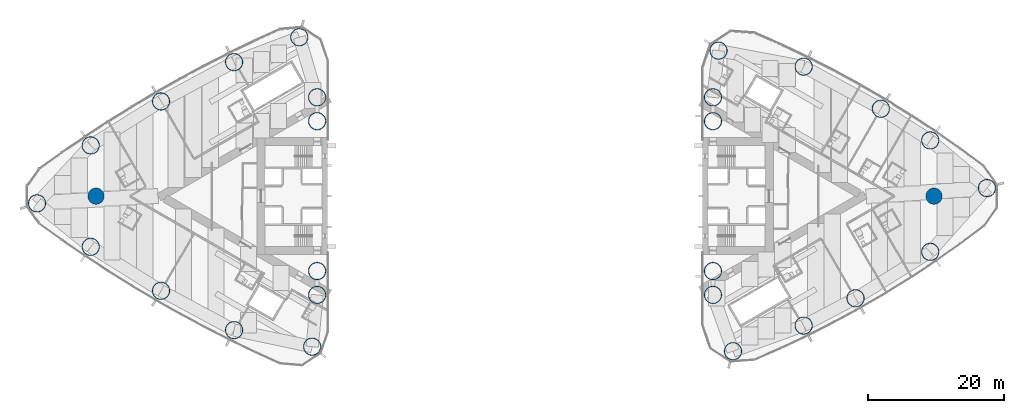
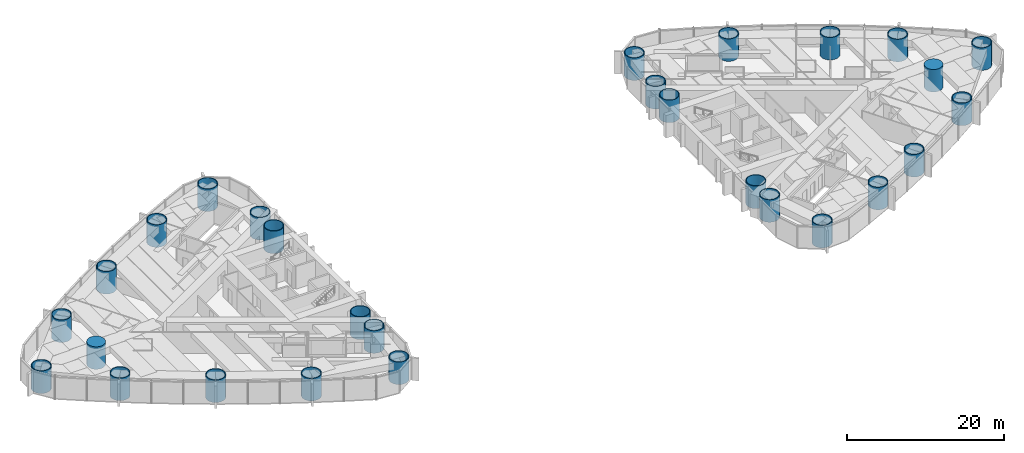
# One storey, part 1 of 18: 28 columns.
"""IFC4 building model written with IfcOpenShell, lengths in metres."""

from ifc_helpers import new_model, si_unit, direction, frame, origin, origin_2d, place, context, subcontext, project, spatial, circle, hollow_circle, extrude, material, material_profile, profile_set, type_object, element, save


model = new_model("IFC4")

# Units and contexts
model_context = context("Model", 3, precision=1e-05, world=origin(), true_north=direction((0.0, 1.0)))
body_context = subcontext(model_context, "Body", "Model", "MODEL_VIEW")
ifc_project = project(units=[si_unit("LENGTHUNIT", "METRE"), si_unit("AREAUNIT", "SQUARE_METRE"), si_unit("VOLUMEUNIT", "CUBIC_METRE"), si_unit("PLANEANGLEUNIT", "RADIAN"), si_unit("MASSUNIT", "GRAM", prefix="KILO")], contexts=[model_context])

# Site, building, storey
site_placement = place(None, origin())
site = spatial("IfcSite", under=ifc_project, at=site_placement, CompositionType="ELEMENT")
building_placement = place(site_placement, origin())
building = spatial("IfcBuilding", under=site, at=building_placement, Name="Lancet Gate Hotel", CompositionType="ELEMENT")
storey_placement = place(building_placement, frame((0.0, 0.0, 104.60009765625)))
storey = spatial("IfcBuildingStorey", under=building, at=storey_placement, Name="L27", CompositionType="ELEMENT", Elevation=104.60009765625)

# Columns
ifc_material_1 = material(Name="Concrete C80/95", Category="concrete")
ifc_material_profile_1 = material_profile(ifc_material_1, circle(Radius=1.199951171875, at=origin_2d()), Name="RC D2400")
ifc_profile_set_1 = profile_set([ifc_material_profile_1], Name="Concrete C80/95")
column_type_1 = type_object("IfcColumnType", Name="Apex column RC D2400", PredefinedType="COLUMN", material=ifc_profile_set_1)
for number, where, z_axis, x_axis, name in (
    (1, (-61.5, 0.0, 0.0), (0.0, 0.0, 1.0), (1.0, 0.0, 0.0), "T1 column AX L27"),
    (2, (61.5, 0.0, 0.0), (0.0, 0.0, 1.0), (1.0, 0.0, 0.0), "T2 column AX L27"),
):
    element("IfcColumn", number, at=place(storey_placement, frame(where, z_axis=z_axis, x_axis=x_axis)), inside=storey, type_object=column_type_1, Name=name, PredefinedType="COLUMN", context=body_context, shape_type="SweptSolid", body=[
        extrude(circle(Radius=1.199951171875, at=origin_2d()), origin(), (0.0, 0.0, 1.0), 3.5),
    ])
ifc_material_2 = material(Name="Composite filled tube, grade 460 plate, grade 80/95 fill", Category="composite")
ifc_material_profile_2 = material_profile(ifc_material_2, hollow_circle(Radius=1.300048828125, WallThickness=0.10009765625, at=origin_2d()), Name="CHS 2600x100")
ifc_profile_set_2 = profile_set([ifc_material_profile_2], Name="Composite filled tube, grade 460 plate, grade 80/95 fill")
column_type_2 = type_object("IfcColumnType", Name="Apex corner column CFT CHS 2600x100", PredefinedType="COLUMN", material=ifc_profile_set_2)
for number, where, z_axis, x_axis, name in (
    (3, (-70.16796875, -1.06005859375, 0.0), (0.0, 0.0, 1.0), (1.0, 0.0, 0.0), "T1 column CA L27"),
    (4, (69.268798828125, 1.1865234375, 0.0), (0.0, 0.0, 1.0), (1.0, 0.0, 0.0), "T2 column CA L27"),
):
    element("IfcColumn", number, at=place(storey_placement, frame(where, z_axis=z_axis, x_axis=x_axis)), inside=storey, type_object=column_type_2, Name=name, PredefinedType="COLUMN", context=body_context, shape_type="SweptSolid", body=[
        extrude(hollow_circle(Radius=1.300048828125, WallThickness=0.10009765625, at=origin_2d()), origin(), (0.0, 0.0, 1.0), 3.5),
    ])
ifc_material_3 = material(Name="Composite filled tube, grade 460 plate, grade 80/95 fill", Category="composite")
ifc_material_profile_3 = material_profile(ifc_material_3, hollow_circle(Radius=1.300048828125, WallThickness=0.10009765625, at=origin_2d()), Name="CHS 2600x100")
ifc_profile_set_3 = profile_set([ifc_material_profile_3], Name="Composite filled tube, grade 460 plate, grade 80/95 fill")
column_type_3 = type_object("IfcColumnType", Name="Perimeter column CFT CHS 2600x100", PredefinedType="COLUMN", material=ifc_profile_set_3)
for number, where, z_axis, x_axis, name in (
    (5, (-29.781005859375, -22.0947265625, 0.0), (0.0, 0.0, 1.0), (1.0, 0.0, 0.0), "T1 column CN L27"),
    (6, (-31.66455078125, 23.318359375, 0.0), (0.0, 0.0, 1.0), (1.0, 0.0, 0.0), "T1 column CS L27"),
    (7, (-29.050048828125, -11.0, 0.0), (0.0, 0.0, 1.0), (1.0, 0.0, 0.0), "T1 column IN L27"),
    (8, (-29.050048828125, 11.0, 0.0), (0.0, 0.0, 1.0), (1.0, 0.0, 0.0), "T1 column IS L27"),
    (9, (-29.050048828125, 14.5, 0.0), (0.0, 0.0, 1.0), (1.0, 0.0, 0.0), "T1 column IT L27"),
    (10, (-29.050048828125, -14.5, 0.0), (0.0, 0.0, 1.0), (1.0, 0.0, 0.0), "T1 column JT L27"),
    (11, (-62.28662109375, -7.444580078125, 0.0), (0.0, 0.0, 1.0), (1.0, 0.0, 0.0), "T1 column ON1 L27"),
    (12, (-51.963134765625, -13.89501953125, 0.0), (0.0, 0.0, 1.0), (1.0, 0.0, 0.0), "T1 column ON2 L27"),
    (13, (-41.244873046875, -19.665771484375, 0.0), (0.0, 0.0, 1.0), (1.0, 0.0, 0.0), "T1 column ON3 L27"),
    (14, (-41.244873046875, 19.665771484375, 0.0), (0.0, 0.0, 1.0), (1.0, 0.0, 0.0), "T1 column OS1 L27"),
    (15, (-51.963134765625, 13.89501953125, 0.0), (0.0, 0.0, 1.0), (1.0, 0.0, 0.0), "T1 column OS2 L27"),
    (16, (-62.28662109375, 7.444580078125, 0.0), (0.0, 0.0, 1.0), (1.0, 0.0, 0.0), "T1 column OS3 L27"),
    (17, (29.8720703125, 21.35498046875, 0.0), (0.0, 0.0, 1.0), (1.0, 0.0, 0.0), "T2 column CN L27"),
    (18, (31.99609375, -22.76318359375, 0.0), (0.0, 0.0, 1.0), (1.0, 0.0, 0.0), "T2 column CS L27"),
    (19, (29.050048828125, 11.0, 0.0), (0.0, 0.0, 1.0), (1.0, 0.0, 0.0), "T2 column IN L27"),
    (20, (29.050048828125, -11.0, 0.0), (0.0, 0.0, 1.0), (1.0, 0.0, 0.0), "T2 column IS L27"),
    (21, (29.050048828125, -14.5, 0.0), (0.0, 0.0, 1.0), (1.0, 0.0, 0.0), "T2 column IT L27"),
    (22, (29.050048828125, 14.5, 0.0), (0.0, 0.0, 1.0), (1.0, 0.0, 0.0), "T2 column JT L27"),
    (23, (60.940673828125, 8.18115234375, 0.0), (0.0, 0.0, 1.0), (1.0, 0.0, 0.0), "T2 column ON1 L27"),
    (24, (53.697021484375, 12.827392578125, 0.0), (0.0, 0.0, 1.0), (1.0, 0.0, 0.0), "T2 column ON2 L27"),
    (25, (42.3662109375, 19.007080078125, 0.0), (0.0, 0.0, 1.0), (1.0, 0.0, 0.0), "T2 column ON3 L27"),
    (26, (42.3662109375, -19.007080078125, 0.0), (0.0, 0.0, 1.0), (1.0, 0.0, 0.0), "T2 column OS1 L27"),
    (27, (49.97900390625, -14.994384765625, 0.0), (0.0, 0.0, 1.0), (1.0, 0.0, 0.0), "T2 column OS2 L27"),
    (28, (60.940673828125, -8.18115234375, 0.0), (0.0, 0.0, 1.0), (1.0, 0.0, 0.0), "T2 column OS3 L27"),
):
    element("IfcColumn", number, at=place(storey_placement, frame(where, z_axis=z_axis, x_axis=x_axis)), inside=storey, type_object=column_type_3, Name=name, PredefinedType="COLUMN", context=body_context, shape_type="SweptSolid", body=[
        extrude(hollow_circle(Radius=1.300048828125, WallThickness=0.10009765625, at=origin_2d()), origin(), (0.0, 0.0, 1.0), 3.5),
    ])

save(model, "model.ifc")
